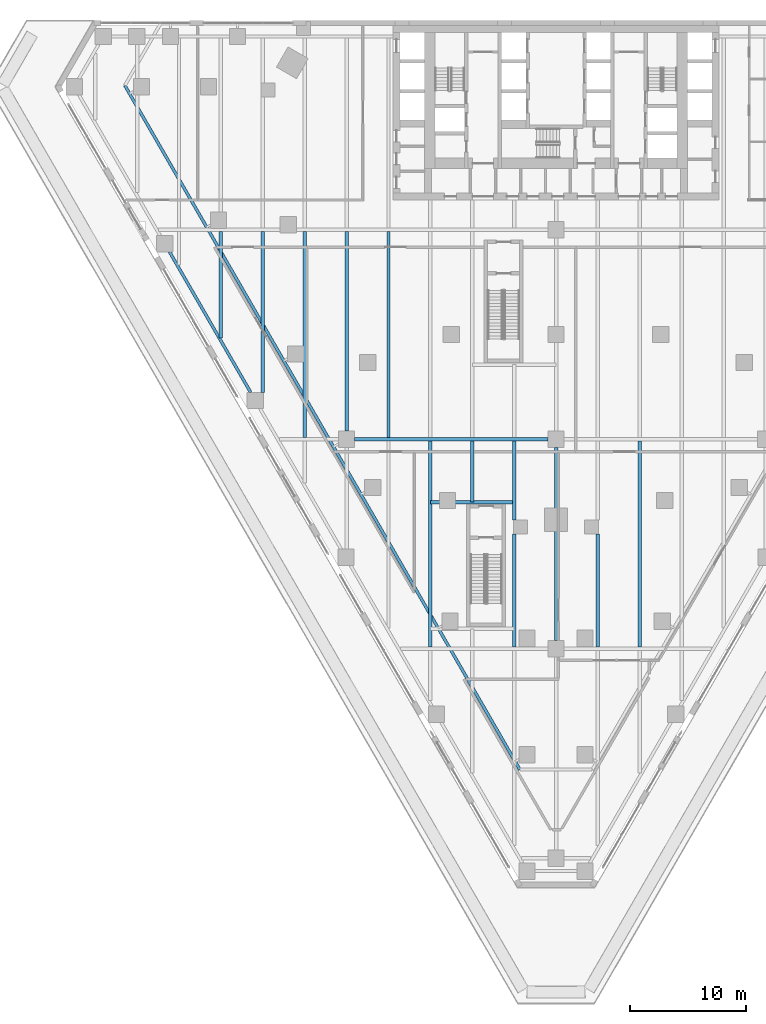
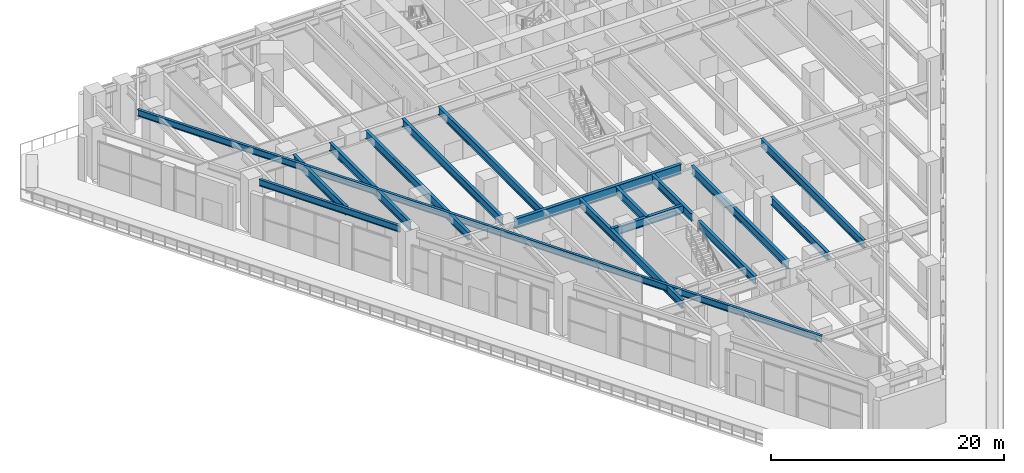
# One storey, part 5 of 30: 16 beams.
"""IFC4 building model written with IfcOpenShell, lengths in metres."""

from ifc_helpers import new_model, si_unit, direction, frame, origin, origin_2d, place, context, subcontext, project, spatial, i_section, extrude, material, material_profile, profile_set, type_object, element, save


model = new_model("IFC4")

# Units and contexts
model_context = context("Model", 3, precision=1e-05, world=origin(), true_north=direction((0.0, 1.0)))
body_context = subcontext(model_context, "Body", "Model", "MODEL_VIEW")
ifc_project = project(units=[si_unit("LENGTHUNIT", "METRE"), si_unit("AREAUNIT", "SQUARE_METRE"), si_unit("VOLUMEUNIT", "CUBIC_METRE"), si_unit("PLANEANGLEUNIT", "RADIAN"), si_unit("MASSUNIT", "GRAM", prefix="KILO")], contexts=[model_context])

# Site, building, storey
site_placement = place(None, origin())
site = spatial("IfcSite", under=ifc_project, at=site_placement, CompositionType="ELEMENT")
building_placement = place(site_placement, origin())
building = spatial("IfcBuilding", under=site, at=building_placement, Name="Aloe Facet Convention Tower", CompositionType="ELEMENT")
storey_placement = place(building_placement, frame((0.0, 0.0, 19.5)))
storey = spatial("IfcBuildingStorey", under=building, at=storey_placement, Name="L03", CompositionType="ELEMENT", Elevation=19.5)

# Beams
ifc_material_1 = material(Name="Steel S355", Category="steel")
ifc_material_profile_1 = material_profile(ifc_material_1, i_section(OverallWidth=0.25439453125, OverallDepth=0.6875, WebThickness=0.01318359375, FlangeThickness=0.02099609375, FilletRadius=0.01513671875, at=origin_2d()), Name="UB 686x254x152")
ifc_profile_set_1 = profile_set([ifc_material_profile_1], Name="Steel S355")
beam_type_1 = type_object("IfcBeamType", Name="EV-EB-UB686x254x152", PredefinedType="BEAM", material=ifc_profile_set_1)
beam_1_placement = place(storey_placement, frame((42.947998046875, 129.396728515625, 4.90625), z_axis=(0.500000729708, -0.866024982487, 0.0), x_axis=(0.866024982487, 0.500000729708, 0.0)))
element("IfcBeam", 1, at=beam_1_placement, inside=storey, type_object=beam_type_1, Name="EB-L04-W", PredefinedType="BEAM", context=body_context, shape_type="SweptSolid", body=[
    extrude(i_section(OverallWidth=0.25439453125, OverallDepth=0.6875, WebThickness=0.01318359375, FlangeThickness=0.02099609375, FilletRadius=0.01513671875, at=origin_2d()), origin(), (0.0, 0.0, 1.0), 67.89404296875),
])
ifc_material_2 = material(Name="Steel S355", Category="steel")
ifc_material_profile_2 = material_profile(ifc_material_2, i_section(OverallWidth=0.305419921875, OverallDepth=1.02587890625, WebThickness=0.02001953125, FlangeThickness=0.031005859375, FilletRadius=0.030029296875, at=origin_2d()), Name="UB 1016x305x349")
ifc_profile_set_2 = profile_set([ifc_material_profile_2], Name="Steel S355")
beam_type_2 = type_object("IfcBeamType", Name="SF-B-UB1016x305x349", PredefinedType="BEAM", material=ifc_profile_set_2)
beam_2_placement = place(storey_placement, frame((62.699951171875, 99.0, 4.737060546875), z_axis=(1.0, 0.0, 0.0), x_axis=(0.0, 1.0, 0.0)))
element("IfcBeam", 2, at=beam_2_placement, inside=storey, type_object=beam_type_2, Name="Floor beam FB-L04-025", PredefinedType="BEAM", context=body_context, shape_type="SweptSolid", body=[
    extrude(i_section(OverallWidth=0.305419921875, OverallDepth=1.02587890625, WebThickness=0.02001953125, FlangeThickness=0.031005859375, FilletRadius=0.030029296875, at=origin_2d()), origin(), (0.0, 0.0, 1.0), 16.60009765625),
])
ifc_material_3 = material(Name="Steel S355", Category="steel")
ifc_material_profile_3 = material_profile(ifc_material_3, i_section(OverallWidth=0.25439453125, OverallDepth=0.6875, WebThickness=0.01318359375, FlangeThickness=0.02099609375, FilletRadius=0.01513671875, at=origin_2d()), Name="UB 686x254x152")
ifc_profile_set_3 = profile_set([ifc_material_profile_3], Name="Steel S355")
beam_type_3 = type_object("IfcBeamType", Name="SF-B-UB686x254x152", PredefinedType="BEAM", material=ifc_profile_set_3)
beam_3_placement = place(storey_placement, frame((53.7568359375, 103.02490234375, 4.90625), z_axis=(-0.499996175863, 0.86602761164, 0.0), x_axis=(-0.86602761164, -0.499996175863, 0.0)))
element("IfcBeam", 3, at=beam_3_placement, inside=storey, type_object=beam_type_3, Name="Floor beam FB-L04-007", PredefinedType="BEAM", context=body_context, shape_type="SweptSolid", body=[
    extrude(i_section(OverallWidth=0.25439453125, OverallDepth=0.6875, WebThickness=0.01318359375, FlangeThickness=0.02099609375, FilletRadius=0.01513671875, at=origin_2d()), origin(), (0.0, 0.0, 1.0), 13.94873046875),
])
ifc_material_4 = material(Name="Steel S355", Category="steel")
ifc_material_profile_4 = material_profile(ifc_material_4, i_section(OverallWidth=0.293701171875, OverallDepth=0.850830078125, WebThickness=0.01611328125, FlangeThickness=0.02685546875, FilletRadius=0.017822265625, at=origin_2d()), Name="UB 838x292x226")
ifc_profile_set_4 = profile_set([ifc_material_profile_4], Name="Steel S355")
beam_type_4 = type_object("IfcBeamType", Name="SF-B-UB838x292x226", PredefinedType="BEAM", material=ifc_profile_set_4)
beam_4_placement = place(storey_placement, frame((51.199951171875, 107.718017578125, 4.824462890625), z_axis=(0.0, 1.0, 0.0), x_axis=(-1.0, 0.0, 0.0)))
element("IfcBeam", 4, at=beam_4_placement, inside=storey, type_object=beam_type_4, Name="Floor beam FB-L04-039", PredefinedType="BEAM", context=body_context, shape_type="SweptSolid", body=[
    extrude(i_section(OverallWidth=0.293701171875, OverallDepth=0.850830078125, WebThickness=0.01611328125, FlangeThickness=0.02685546875, FilletRadius=0.017822265625, at=origin_2d()), origin(), (0.0, 0.0, 1.0), 9.12939453125),
])
beam_5_placement = place(storey_placement, frame((54.800048828125, 103.02490234375, 4.824462890625), z_axis=(0.0, 1.0, 0.0), x_axis=(-1.0, 0.0, 0.0)))
element("IfcBeam", 5, at=beam_5_placement, inside=storey, type_object=beam_type_4, Name="Floor beam FB-L04-041", PredefinedType="BEAM", context=body_context, shape_type="SweptSolid", body=[
    extrude(i_section(OverallWidth=0.293701171875, OverallDepth=0.850830078125, WebThickness=0.01611328125, FlangeThickness=0.02685546875, FilletRadius=0.017822265625, at=origin_2d()), origin(), (0.0, 0.0, 1.0), 13.822509765625),
])
beam_6_placement = place(storey_placement, frame((58.39990234375, 99.152587890625, 4.824462890625), z_axis=(0.0, 1.0, 0.0), x_axis=(-1.0, 0.0, 0.0)))
element("IfcBeam", 6, at=beam_6_placement, inside=storey, type_object=beam_type_4, Name="Floor beam FB-L04-045", PredefinedType="BEAM", context=body_context, shape_type="SweptSolid", body=[
    extrude(i_section(OverallWidth=0.293701171875, OverallDepth=0.850830078125, WebThickness=0.01611328125, FlangeThickness=0.02685546875, FilletRadius=0.017822265625, at=origin_2d()), origin(), (0.0, 0.0, 1.0), 17.69482421875),
])
beam_7_placement = place(storey_placement, frame((62.0, 99.699951171875, 4.824462890625), z_axis=(0.0, 1.0, 0.0), x_axis=(-1.0, 0.0, 0.0)))
element("IfcBeam", 7, at=beam_7_placement, inside=storey, type_object=beam_type_4, Name="Floor beam FB-L04-048", PredefinedType="BEAM", context=body_context, shape_type="SweptSolid", body=[
    extrude(i_section(OverallWidth=0.293701171875, OverallDepth=0.850830078125, WebThickness=0.01611328125, FlangeThickness=0.02685546875, FilletRadius=0.017822265625, at=origin_2d()), origin(), (0.0, 0.0, 1.0), 17.1474609375),
])
for number, where, z_axis, x_axis, name in (
    (8, (65.60009765625, 99.152587890625, 4.824462890625), (0.0, 1.0, 0.0), (-1.0, 0.0, 0.0), "Floor beam FB-L04-051"),
    (9, (69.199951171875, 81.152587890625, 4.824462890625), (0.0, 1.0, 0.0), (-1.0, 0.0, 0.0), "Floor beam FB-L04-054"),
):
    element("IfcBeam", number, at=place(storey_placement, frame(where, z_axis=z_axis, x_axis=x_axis)), inside=storey, type_object=beam_type_4, Name=name, PredefinedType="BEAM", context=body_context, shape_type="SweptSolid", body=[
        extrude(i_section(OverallWidth=0.293701171875, OverallDepth=0.850830078125, WebThickness=0.01611328125, FlangeThickness=0.02685546875, FilletRadius=0.017822265625, at=origin_2d()), origin(), (0.0, 0.0, 1.0), 17.69482421875),
    ])
beam_8_placement = place(storey_placement, frame((69.199951171875, 93.60009765625, 4.824462890625), z_axis=(1.0, 0.0, 0.0), x_axis=(0.0, 1.0, 0.0)))
element("IfcBeam", 10, at=beam_8_placement, inside=storey, type_object=beam_type_4, Name="Floor beam FB-L04-056", PredefinedType="BEAM", context=body_context, shape_type="SweptSolid", body=[
    extrude(i_section(OverallWidth=0.293701171875, OverallDepth=0.850830078125, WebThickness=0.01611328125, FlangeThickness=0.02685546875, FilletRadius=0.017822265625, at=origin_2d()), origin(), (0.0, 0.0, 1.0), 7.199951171875),
])
beam_9_placement = place(storey_placement, frame((72.800048828125, 93.60009765625, 4.824462890625), z_axis=(0.0, 1.0, 0.0), x_axis=(-1.0, 0.0, 0.0)))
element("IfcBeam", 11, at=beam_9_placement, inside=storey, type_object=beam_type_4, Name="Floor beam FB-L04-061", PredefinedType="BEAM", context=body_context, shape_type="SweptSolid", body=[
    extrude(i_section(OverallWidth=0.293701171875, OverallDepth=0.850830078125, WebThickness=0.01611328125, FlangeThickness=0.02685546875, FilletRadius=0.017822265625, at=origin_2d()), origin(), (0.0, 0.0, 1.0), 5.247314453125),
])
beam_10_placement = place(storey_placement, frame((76.39990234375, 81.152587890625, 4.824462890625), z_axis=(0.0, 1.0, 0.0), x_axis=(-1.0, 0.0, 0.0)))
element("IfcBeam", 12, at=beam_10_placement, inside=storey, type_object=beam_type_4, Name="Floor beam FB-L04-066", PredefinedType="BEAM", context=body_context, shape_type="SweptSolid", body=[
    extrude(i_section(OverallWidth=0.293701171875, OverallDepth=0.850830078125, WebThickness=0.01611328125, FlangeThickness=0.02685546875, FilletRadius=0.017822265625, at=origin_2d()), origin(), (0.0, 0.0, 1.0), 9.68994140625),
])
beam_11_placement = place(storey_placement, frame((76.39990234375, 92.04248046875, 4.824462890625), z_axis=(0.0, 1.0, 0.0), x_axis=(-1.0, 0.0, 0.0)))
element("IfcBeam", 13, at=beam_11_placement, inside=storey, type_object=beam_type_4, Name="Floor beam FB-L04-067", PredefinedType="BEAM", context=body_context, shape_type="SweptSolid", body=[
    extrude(i_section(OverallWidth=0.293701171875, OverallDepth=0.850830078125, WebThickness=0.01611328125, FlangeThickness=0.02685546875, FilletRadius=0.017822265625, at=origin_2d()), origin(), (0.0, 0.0, 1.0), 6.804931640625),
])
beam_12_placement = place(storey_placement, frame((80.0, 81.699951171875, 4.824462890625), z_axis=(0.0, 1.0, 0.0), x_axis=(-1.0, 0.0, 0.0)))
element("IfcBeam", 14, at=beam_12_placement, inside=storey, type_object=beam_type_4, Name="Floor beam FB-L04-071", PredefinedType="BEAM", context=body_context, shape_type="SweptSolid", body=[
    extrude(i_section(OverallWidth=0.293701171875, OverallDepth=0.850830078125, WebThickness=0.01611328125, FlangeThickness=0.02685546875, FilletRadius=0.017822265625, at=origin_2d()), origin(), (0.0, 0.0, 1.0), 16.60009765625),
])
beam_13_placement = place(storey_placement, frame((83.60009765625, 81.152587890625, 4.824462890625), z_axis=(0.0, 1.0, 0.0), x_axis=(-1.0, 0.0, 0.0)))
element("IfcBeam", 15, at=beam_13_placement, inside=storey, type_object=beam_type_4, Name="Floor beam FB-L04-076", PredefinedType="BEAM", context=body_context, shape_type="SweptSolid", body=[
    extrude(i_section(OverallWidth=0.293701171875, OverallDepth=0.850830078125, WebThickness=0.01611328125, FlangeThickness=0.02685546875, FilletRadius=0.017822265625, at=origin_2d()), origin(), (0.0, 0.0, 1.0), 9.68994140625),
])
beam_14_placement = place(storey_placement, frame((87.199951171875, 81.152587890625, 4.824462890625), z_axis=(0.0, 1.0, 0.0), x_axis=(-1.0, 0.0, 0.0)))
element("IfcBeam", 16, at=beam_14_placement, inside=storey, type_object=beam_type_4, Name="Floor beam FB-L04-081", PredefinedType="BEAM", context=body_context, shape_type="SweptSolid", body=[
    extrude(i_section(OverallWidth=0.293701171875, OverallDepth=0.850830078125, WebThickness=0.01611328125, FlangeThickness=0.02685546875, FilletRadius=0.017822265625, at=origin_2d()), origin(), (0.0, 0.0, 1.0), 17.69482421875),
])

save(model, "model.ifc")
